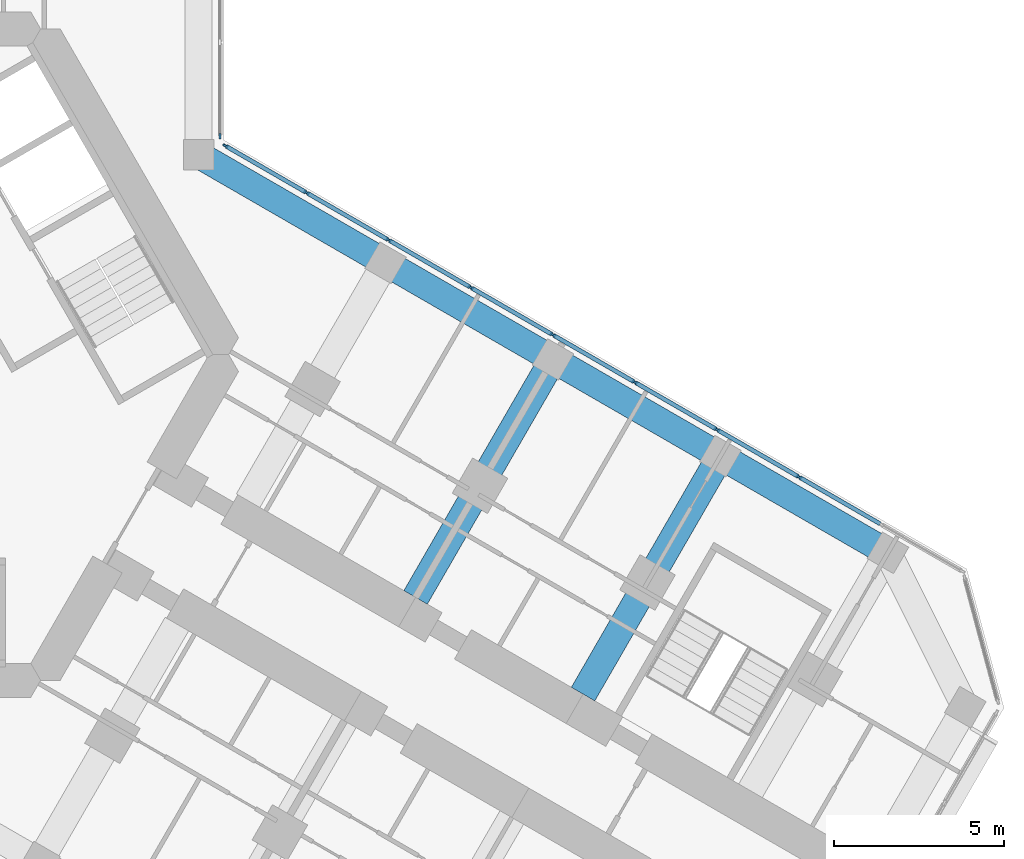
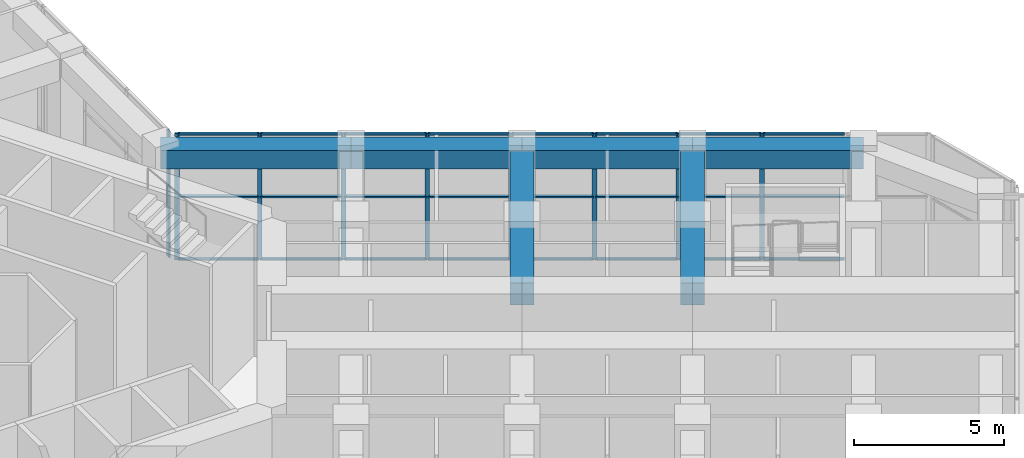
# One storey, part 7 of 23: 33 members, 6 beams, 2 elements without a shape of their own.
"""IFC4 building model written with IfcOpenShell, lengths in metres."""

from ifc_helpers import new_model, si_unit, direction, frame, origin, origin_2d, place, context, subcontext, project, spatial, rectangle, extrude, material, material_profile, profile_set, type_object, element, aggregate, save


model = new_model("IFC4")

# Units and contexts
model_context = context("Model", 3, precision=1e-05, world=origin(), true_north=direction((0.0, 1.0)))
body_context = subcontext(model_context, "Body", "Model", "MODEL_VIEW")
ifc_project = project(units=[si_unit("LENGTHUNIT", "METRE"), si_unit("AREAUNIT", "SQUARE_METRE"), si_unit("VOLUMEUNIT", "CUBIC_METRE"), si_unit("PLANEANGLEUNIT", "RADIAN"), si_unit("MASSUNIT", "GRAM", prefix="KILO")], contexts=[model_context])

# Site, building, storey
site_placement = place(None, origin())
site = spatial("IfcSite", under=ifc_project, at=site_placement, CompositionType="ELEMENT")
building_placement = place(site_placement, origin())
building = spatial("IfcBuilding", under=site, at=building_placement, Name="Kosmar Iwan School Tower", CompositionType="ELEMENT")
storey_placement = place(building_placement, frame((0.0, 0.0, 75.39990234375)))
storey = spatial("IfcBuildingStorey", under=building, at=storey_placement, Name="L18", CompositionType="ELEMENT", Elevation=75.39990234375)

# Curtain wall, members
ifc_material_1 = material(Name="Dark glass in black aluminium frame", Category="aluminium")
curtain_wall_type = type_object("IfcCurtainWallType", Name="Winter garden curtain wall", PredefinedType="USERDEFINED", material=ifc_material_1)
curtain_wall_1_placement = place(storey_placement, origin())
curtain_wall_1 = element("IfcCurtainWall", 1, at=curtain_wall_1_placement, inside=storey, type_object=curtain_wall_type, Name="Curtain wall L18-F05", ObjectType="WINTER GARDEN CURTAIN WALL", PredefinedType="USERDEFINED")
ifc_material_2 = material(Name="Black anodised aluminium", Category="aluminium")
ifc_material_profile_1 = material_profile(ifc_material_2, rectangle(XDim=0.06005859375, YDim=0.159912109375, at=origin_2d()), Name="MULLION 60x160")
ifc_profile_set_1 = profile_set([ifc_material_profile_1], Name="Black anodised aluminium")
member_type_1 = type_object("IfcMemberType", Name="Mullion 60x160", PredefinedType="MULLION", material=ifc_profile_set_1)
member_1_placement = place(storey_placement, frame((10.98876953125, 6.1552734375, 0.0), z_axis=(0.0, 0.0, 1.0), x_axis=(0.500000014888, 0.866025395189, 0.0)))
member_1 = element("IfcMember", 2, at=member_1_placement, type_object=member_type_1, Name="CW7 mullion 1", PredefinedType="MULLION", context=body_context, shape_type="SweptSolid", body=[
    extrude(rectangle(XDim=0.06005859375, YDim=0.159912109375, at=origin_2d()), origin(), (0.0, 0.0, 1.0), 5.150146484375),
])
member_2_placement = place(storey_placement, frame((13.3818359375, 4.773681640625, 0.0), z_axis=(0.0, 0.0, 1.0), x_axis=(0.500000014888, 0.866025395189, 0.0)))
member_2 = element("IfcMember", 3, at=member_2_placement, type_object=member_type_1, Name="CW7 mullion 2", PredefinedType="MULLION", context=body_context, shape_type="SweptSolid", body=[
    extrude(rectangle(XDim=0.06005859375, YDim=0.159912109375, at=origin_2d()), origin(), (0.0, 0.0, 1.0), 5.150146484375),
])
member_3_placement = place(storey_placement, frame((15.80078125, 3.376953125, 0.0), z_axis=(0.0, 0.0, 1.0), x_axis=(0.500000014888, 0.866025395189, 0.0)))
member_3 = element("IfcMember", 4, at=member_3_placement, type_object=member_type_1, Name="CW7 mullion 3", PredefinedType="MULLION", context=body_context, shape_type="SweptSolid", body=[
    extrude(rectangle(XDim=0.06005859375, YDim=0.159912109375, at=origin_2d()), origin(), (0.0, 0.0, 1.0), 5.150146484375),
])
member_4_placement = place(storey_placement, frame((18.219970703125, 1.98046875, 0.0), z_axis=(0.0, 0.0, 1.0), x_axis=(0.500000014888, 0.866025395189, 0.0)))
member_4 = element("IfcMember", 5, at=member_4_placement, type_object=member_type_1, Name="CW7 mullion 4", PredefinedType="MULLION", context=body_context, shape_type="SweptSolid", body=[
    extrude(rectangle(XDim=0.06005859375, YDim=0.159912109375, at=origin_2d()), origin(), (0.0, 0.0, 1.0), 5.150146484375),
])
member_5_placement = place(storey_placement, frame((20.638916015625, 0.583740234375, 0.0), z_axis=(0.0, 0.0, 1.0), x_axis=(0.500000014888, 0.866025395189, 0.0)))
member_5 = element("IfcMember", 6, at=member_5_placement, type_object=member_type_1, Name="CW7 mullion 5", PredefinedType="MULLION", context=body_context, shape_type="SweptSolid", body=[
    extrude(rectangle(XDim=0.06005859375, YDim=0.159912109375, at=origin_2d()), origin(), (0.0, 0.0, 1.0), 5.150146484375),
])
member_6_placement = place(storey_placement, frame((23.057861328125, -0.81298828125, 0.0), z_axis=(0.0, 0.0, 1.0), x_axis=(0.500000014888, 0.866025395189, 0.0)))
member_6 = element("IfcMember", 7, at=member_6_placement, type_object=member_type_1, Name="CW7 mullion 6", PredefinedType="MULLION", context=body_context, shape_type="SweptSolid", body=[
    extrude(rectangle(XDim=0.06005859375, YDim=0.159912109375, at=origin_2d()), origin(), (0.0, 0.0, 1.0), 5.150146484375),
])
member_7_placement = place(storey_placement, frame((25.47705078125, -2.20947265625, 0.0), z_axis=(0.0, 0.0, 1.0), x_axis=(0.500000014888, 0.866025395189, 0.0)))
member_7 = element("IfcMember", 8, at=member_7_placement, type_object=member_type_1, Name="CW7 mullion 7", PredefinedType="MULLION", context=body_context, shape_type="SweptSolid", body=[
    extrude(rectangle(XDim=0.06005859375, YDim=0.159912109375, at=origin_2d()), origin(), (0.0, 0.0, 1.0), 5.150146484375),
])
member_8_placement = place(storey_placement, frame((27.89599609375, -3.606201171875, 0.0), z_axis=(0.0, 0.0, 1.0), x_axis=(0.500000014888, 0.866025395189, 0.0)))
member_8 = element("IfcMember", 9, at=member_8_placement, type_object=member_type_1, Name="CW7 mullion 8", PredefinedType="MULLION", context=body_context, shape_type="SweptSolid", body=[
    extrude(rectangle(XDim=0.06005859375, YDim=0.159912109375, at=origin_2d()), origin(), (0.0, 0.0, 1.0), 5.150146484375),
])

# Curtain wall, member
curtain_wall_2_placement = place(storey_placement, origin())
curtain_wall_2 = element("IfcCurtainWall", 10, at=curtain_wall_2_placement, inside=storey, type_object=curtain_wall_type, Name="Curtain wall L18-F06", ObjectType="WINTER GARDEN CURTAIN WALL", PredefinedType="USERDEFINED")
member_9_placement = place(storey_placement, frame((10.824951171875, 6.43896484375, 0.0), z_axis=(0.0, 0.0, 1.0), x_axis=(-1.0, 0.0, 0.0)))
member_9 = element("IfcMember", 11, at=member_9_placement, type_object=member_type_1, Name="CW7 mullion 1", PredefinedType="MULLION", context=body_context, shape_type="SweptSolid", body=[
    extrude(rectangle(XDim=0.06005859375, YDim=0.159912109375, at=origin_2d()), origin(), (0.0, 0.0, 1.0), 5.150146484375),
])
aggregate(curtain_wall_2, [member_9])

# Beams
ifc_material_3 = material(Name="Concrete C50/60", Category="concrete")
ifc_material_profile_2 = material_profile(ifc_material_3, rectangle(XDim=0.800048828125, YDim=0.75, at=origin_2d()), Name="RC 800x750")
ifc_profile_set_2 = profile_set([ifc_material_profile_2], Name="Concrete C50/60")
beam_type_1 = type_object("IfcBeamType", Name="RC edge beam 800x750", PredefinedType="BEAM", material=ifc_profile_set_2)
beam_1_placement = place(storey_placement, frame((10.199951171875, 5.888916015625, 4.775146484375), z_axis=(0.866030912664, -0.49999045822, 0.0), x_axis=(0.49999045822, 0.866030912664, 0.0)))
element("IfcBeam", 12, at=beam_1_placement, inside=storey, type_object=beam_type_1, Name="Edge beam CL1", PredefinedType="BEAM", context=body_context, shape_type="SweptSolid", body=[
    extrude(rectangle(XDim=0.800048828125, YDim=0.75, at=origin_2d()), origin(), (0.0, 0.0, 1.0), 6.36083984375),
])
beam_2_placement = place(storey_placement, frame((15.708740234375, 2.70849609375, 4.775146484375), z_axis=(0.866025820012, -0.499999279071, 0.0), x_axis=(0.499999279071, 0.866025820012, 0.0)))
element("IfcBeam", 13, at=beam_2_placement, inside=storey, type_object=beam_type_1, Name="Edge beam CL2", PredefinedType="BEAM", context=body_context, shape_type="SweptSolid", body=[
    extrude(rectangle(XDim=0.800048828125, YDim=0.75, at=origin_2d()), origin(), (0.0, 0.0, 1.0), 5.7001953125),
])
for number, where, z_axis, x_axis, name in (
    (14, (20.645263671875, -0.1416015625, 4.775146484375), (0.866033658841, -0.49998570155, 0.0), (0.49998570155, 0.866033658841, 0.0), "Edge beam CL3"),
    (15, (25.58154296875, -2.991455078125, 4.775146484375), (0.866015111908, -0.50001782563, 0.0), (0.50001782563, 0.866015111908, 0.0), "Edge beam CL4"),
):
    element("IfcBeam", number, at=place(storey_placement, frame(where, z_axis=z_axis, x_axis=x_axis)), inside=storey, type_object=beam_type_1, Name=name, PredefinedType="BEAM", context=body_context, shape_type="SweptSolid", body=[
        extrude(rectangle(XDim=0.800048828125, YDim=0.75, at=origin_2d()), origin(), (0.0, 0.0, 1.0), 5.699951171875),
    ])
ifc_material_4 = material(Name="Concrete C50/60", Category="concrete")
ifc_material_profile_3 = material_profile(ifc_material_4, rectangle(XDim=0.800048828125, YDim=0.89990234375, at=origin_2d()), Name="RC 800x900")
ifc_profile_set_3 = profile_set([ifc_material_profile_3], Name="Concrete C50/60")
beam_type_2 = type_object("IfcBeamType", Name="RC transverse beam 800x900", PredefinedType="BEAM", material=ifc_profile_set_3)
beam_3_placement = place(storey_placement, frame((20.645263671875, -0.1416015625, 4.7001953125), z_axis=(-0.500012932018, -0.866017937352, 0.0), x_axis=(0.866017937352, -0.500012932018, 0.0)))
element("IfcBeam", 16, at=beam_3_placement, inside=storey, type_object=beam_type_2, Name="Transverse beam CL2", PredefinedType="BEAM", context=body_context, shape_type="SweptSolid", body=[
    extrude(rectangle(XDim=0.800048828125, YDim=0.89990234375, at=origin_2d()), origin(), (0.0, 0.0, 1.0), 8.099853515625),
])
beam_4_placement = place(storey_placement, frame((25.58154296875, -2.991455078125, 4.7001953125), z_axis=(-0.499999880539, -0.866025472755, 0.0), x_axis=(0.866025472755, -0.499999880539, 0.0)))
element("IfcBeam", 17, at=beam_4_placement, inside=storey, type_object=beam_type_2, Name="Transverse beam CL3", PredefinedType="BEAM", context=body_context, shape_type="SweptSolid", body=[
    extrude(rectangle(XDim=0.800048828125, YDim=0.89990234375, at=origin_2d()), origin(), (0.0, 0.0, 1.0), 8.10009765625),
])

# Member
ifc_material_5 = material(Name="Black anodised aluminium", Category="aluminium")
ifc_material_profile_4 = material_profile(ifc_material_5, rectangle(XDim=0.1201171875, YDim=0.06005859375, at=origin_2d()), Name="TRANSOM 60x120")
ifc_profile_set_4 = profile_set([ifc_material_profile_4], Name="Black anodised aluminium")
member_type_2 = type_object("IfcMemberType", Name="Transom 60x120", PredefinedType="USERDEFINED", material=ifc_profile_set_4)
member_10_placement = place(storey_placement, frame((11.014892578125, 6.14013671875, 0.030029296875), z_axis=(0.866033683985, -0.499985657998, 0.0), x_axis=(0.499985657998, 0.866033683985, 0.0)))
member_10 = element("IfcMember", 18, at=member_10_placement, type_object=member_type_2, Name="CW7 transom 1.1", ObjectType="TRANSOM", PredefinedType="USERDEFINED", context=body_context, shape_type="SweptSolid", body=[
    extrude(rectangle(XDim=0.1201171875, YDim=0.06005859375, at=origin_2d()), origin(), (0.0, 0.0, 1.0), 2.703125),
])

member_11_placement = place(storey_placement, frame((11.014892578125, 6.14013671875, 2.5751953125), z_axis=(0.866033683985, -0.499985657998, 0.0), x_axis=(0.499985657998, 0.866033683985, 0.0)))
member_11 = element("IfcMember", 19, at=member_11_placement, type_object=member_type_2, Name="CW7 transom 1.2", ObjectType="TRANSOM", PredefinedType="USERDEFINED", context=body_context, shape_type="SweptSolid", body=[
    extrude(rectangle(XDim=0.1201171875, YDim=0.06005859375, at=origin_2d()), origin(), (0.0, 0.0, 1.0), 2.703125),
])

member_12_placement = place(storey_placement, frame((11.014892578125, 6.14013671875, 5.1201171875), z_axis=(0.866033683985, -0.499985657998, 0.0), x_axis=(0.499985657998, 0.866033683985, 0.0)))
member_12 = element("IfcMember", 20, at=member_12_placement, type_object=member_type_2, Name="CW7 transom 1.3", ObjectType="TRANSOM", PredefinedType="USERDEFINED", context=body_context, shape_type="SweptSolid", body=[
    extrude(rectangle(XDim=0.1201171875, YDim=0.06005859375, at=origin_2d()), origin(), (0.0, 0.0, 1.0), 2.703125),
])

member_13_placement = place(storey_placement, frame((13.407958984375, 4.758544921875, 0.030029296875), z_axis=(0.866041295585, -0.499972473583, 0.0), x_axis=(0.499972473583, 0.866041295585, 0.0)))
member_13 = element("IfcMember", 21, at=member_13_placement, type_object=member_type_2, Name="CW7 transom 2.1", ObjectType="TRANSOM", PredefinedType="USERDEFINED", context=body_context, shape_type="SweptSolid", body=[
    extrude(rectangle(XDim=0.1201171875, YDim=0.06005859375, at=origin_2d()), origin(), (0.0, 0.0, 1.0), 2.733154296875),
])

member_14_placement = place(storey_placement, frame((13.407958984375, 4.758544921875, 2.5751953125), z_axis=(0.866041295585, -0.499972473583, 0.0), x_axis=(0.499972473583, 0.866041295585, 0.0)))
member_14 = element("IfcMember", 22, at=member_14_placement, type_object=member_type_2, Name="CW7 transom 2.2", ObjectType="TRANSOM", PredefinedType="USERDEFINED", context=body_context, shape_type="SweptSolid", body=[
    extrude(rectangle(XDim=0.1201171875, YDim=0.06005859375, at=origin_2d()), origin(), (0.0, 0.0, 1.0), 2.733154296875),
])

member_15_placement = place(storey_placement, frame((13.407958984375, 4.758544921875, 5.1201171875), z_axis=(0.866041295585, -0.499972473583, 0.0), x_axis=(0.499972473583, 0.866041295585, 0.0)))
member_15 = element("IfcMember", 23, at=member_15_placement, type_object=member_type_2, Name="CW7 transom 2.3", ObjectType="TRANSOM", PredefinedType="USERDEFINED", context=body_context, shape_type="SweptSolid", body=[
    extrude(rectangle(XDim=0.1201171875, YDim=0.06005859375, at=origin_2d()), origin(), (0.0, 0.0, 1.0), 2.733154296875),
])

member_16_placement = place(storey_placement, frame((15.826904296875, 3.362060546875, 0.030029296875), z_axis=(0.866002615699, -0.500039468044, 0.0), x_axis=(0.500039468044, 0.866002615699, 0.0)))
member_16 = element("IfcMember", 24, at=member_16_placement, type_object=member_type_2, Name="CW7 transom 3.1", ObjectType="TRANSOM", PredefinedType="USERDEFINED", context=body_context, shape_type="SweptSolid", body=[
    extrude(rectangle(XDim=0.1201171875, YDim=0.06005859375, at=origin_2d()), origin(), (0.0, 0.0, 1.0), 2.733154296875),
])

member_17_placement = place(storey_placement, frame((15.826904296875, 3.362060546875, 2.5751953125), z_axis=(0.866002615699, -0.500039468044, 0.0), x_axis=(0.500039468044, 0.866002615699, 0.0)))
member_17 = element("IfcMember", 25, at=member_17_placement, type_object=member_type_2, Name="CW7 transom 3.2", ObjectType="TRANSOM", PredefinedType="USERDEFINED", context=body_context, shape_type="SweptSolid", body=[
    extrude(rectangle(XDim=0.1201171875, YDim=0.06005859375, at=origin_2d()), origin(), (0.0, 0.0, 1.0), 2.733154296875),
])

member_18_placement = place(storey_placement, frame((15.826904296875, 3.362060546875, 5.1201171875), z_axis=(0.866002615699, -0.500039468044, 0.0), x_axis=(0.500039468044, 0.866002615699, 0.0)))
member_18 = element("IfcMember", 26, at=member_18_placement, type_object=member_type_2, Name="CW7 transom 3.3", ObjectType="TRANSOM", PredefinedType="USERDEFINED", context=body_context, shape_type="SweptSolid", body=[
    extrude(rectangle(XDim=0.1201171875, YDim=0.06005859375, at=origin_2d()), origin(), (0.0, 0.0, 1.0), 2.733154296875),
])

member_19_placement = place(storey_placement, frame((18.245849609375, 1.96533203125, 0.030029296875), z_axis=(0.8660249478, -0.500000789788, 0.0), x_axis=(0.500000789788, 0.8660249478, 0.0)))
member_19 = element("IfcMember", 27, at=member_19_placement, type_object=member_type_2, Name="CW7 transom 4.1", ObjectType="TRANSOM", PredefinedType="USERDEFINED", context=body_context, shape_type="SweptSolid", body=[
    extrude(rectangle(XDim=0.1201171875, YDim=0.06005859375, at=origin_2d()), origin(), (0.0, 0.0, 1.0), 2.7333984375),
])

member_20_placement = place(storey_placement, frame((18.245849609375, 1.96533203125, 2.5751953125), z_axis=(0.8660249478, -0.500000789788, 0.0), x_axis=(0.500000789788, 0.8660249478, 0.0)))
member_20 = element("IfcMember", 28, at=member_20_placement, type_object=member_type_2, Name="CW7 transom 4.2", ObjectType="TRANSOM", PredefinedType="USERDEFINED", context=body_context, shape_type="SweptSolid", body=[
    extrude(rectangle(XDim=0.1201171875, YDim=0.06005859375, at=origin_2d()), origin(), (0.0, 0.0, 1.0), 2.7333984375),
])

member_21_placement = place(storey_placement, frame((18.245849609375, 1.96533203125, 5.1201171875), z_axis=(0.8660249478, -0.500000789788, 0.0), x_axis=(0.500000789788, 0.8660249478, 0.0)))
member_21 = element("IfcMember", 29, at=member_21_placement, type_object=member_type_2, Name="CW7 transom 4.3", ObjectType="TRANSOM", PredefinedType="USERDEFINED", context=body_context, shape_type="SweptSolid", body=[
    extrude(rectangle(XDim=0.1201171875, YDim=0.06005859375, at=origin_2d()), origin(), (0.0, 0.0, 1.0), 2.7333984375),
])

member_22_placement = place(storey_placement, frame((20.664794921875, 0.56884765625, 0.030029296875), z_axis=(0.8660249478, -0.500000789788, 0.0), x_axis=(0.500000789788, 0.8660249478, 0.0)))
member_22 = element("IfcMember", 30, at=member_22_placement, type_object=member_type_2, Name="CW7 transom 5.1", ObjectType="TRANSOM", PredefinedType="USERDEFINED", context=body_context, shape_type="SweptSolid", body=[
    extrude(rectangle(XDim=0.1201171875, YDim=0.06005859375, at=origin_2d()), origin(), (0.0, 0.0, 1.0), 2.7333984375),
])

member_23_placement = place(storey_placement, frame((20.664794921875, 0.56884765625, 2.5751953125), z_axis=(0.8660249478, -0.500000789788, 0.0), x_axis=(0.500000789788, 0.8660249478, 0.0)))
member_23 = element("IfcMember", 31, at=member_23_placement, type_object=member_type_2, Name="CW7 transom 5.2", ObjectType="TRANSOM", PredefinedType="USERDEFINED", context=body_context, shape_type="SweptSolid", body=[
    extrude(rectangle(XDim=0.1201171875, YDim=0.06005859375, at=origin_2d()), origin(), (0.0, 0.0, 1.0), 2.7333984375),
])

member_24_placement = place(storey_placement, frame((20.664794921875, 0.56884765625, 5.1201171875), z_axis=(0.8660249478, -0.500000789788, 0.0), x_axis=(0.500000789788, 0.8660249478, 0.0)))
member_24 = element("IfcMember", 32, at=member_24_placement, type_object=member_type_2, Name="CW7 transom 5.3", ObjectType="TRANSOM", PredefinedType="USERDEFINED", context=body_context, shape_type="SweptSolid", body=[
    extrude(rectangle(XDim=0.1201171875, YDim=0.06005859375, at=origin_2d()), origin(), (0.0, 0.0, 1.0), 2.7333984375),
])

member_25_placement = place(storey_placement, frame((23.083984375, -0.827880859375, 0.030029296875), z_axis=(0.866002615699, -0.500039468044, 0.0), x_axis=(0.500039468044, 0.866002615699, 0.0)))
member_25 = element("IfcMember", 33, at=member_25_placement, type_object=member_type_2, Name="CW7 transom 6.1", ObjectType="TRANSOM", PredefinedType="USERDEFINED", context=body_context, shape_type="SweptSolid", body=[
    extrude(rectangle(XDim=0.1201171875, YDim=0.06005859375, at=origin_2d()), origin(), (0.0, 0.0, 1.0), 2.733154296875),
])

member_26_placement = place(storey_placement, frame((23.083984375, -0.827880859375, 2.5751953125), z_axis=(0.866002615699, -0.500039468044, 0.0), x_axis=(0.500039468044, 0.866002615699, 0.0)))
member_26 = element("IfcMember", 34, at=member_26_placement, type_object=member_type_2, Name="CW7 transom 6.2", ObjectType="TRANSOM", PredefinedType="USERDEFINED", context=body_context, shape_type="SweptSolid", body=[
    extrude(rectangle(XDim=0.1201171875, YDim=0.06005859375, at=origin_2d()), origin(), (0.0, 0.0, 1.0), 2.733154296875),
])

member_27_placement = place(storey_placement, frame((23.083984375, -0.827880859375, 5.1201171875), z_axis=(0.866002615699, -0.500039468044, 0.0), x_axis=(0.500039468044, 0.866002615699, 0.0)))
member_27 = element("IfcMember", 35, at=member_27_placement, type_object=member_type_2, Name="CW7 transom 6.3", ObjectType="TRANSOM", PredefinedType="USERDEFINED", context=body_context, shape_type="SweptSolid", body=[
    extrude(rectangle(XDim=0.1201171875, YDim=0.06005859375, at=origin_2d()), origin(), (0.0, 0.0, 1.0), 2.733154296875),
])

member_28_placement = place(storey_placement, frame((25.5029296875, -2.224609375, 0.030029296875), z_axis=(0.866063622699, -0.499933797055, 0.0), x_axis=(0.499933797055, 0.866063622699, 0.0)))
member_28 = element("IfcMember", 36, at=member_28_placement, type_object=member_type_2, Name="CW7 transom 7.1", ObjectType="TRANSOM", PredefinedType="USERDEFINED", context=body_context, shape_type="SweptSolid", body=[
    extrude(rectangle(XDim=0.1201171875, YDim=0.06005859375, at=origin_2d()), origin(), (0.0, 0.0, 1.0), 2.733154296875),
])

member_29_placement = place(storey_placement, frame((25.5029296875, -2.224609375, 2.5751953125), z_axis=(0.866063622699, -0.499933797055, 0.0), x_axis=(0.499933797055, 0.866063622699, 0.0)))
member_29 = element("IfcMember", 37, at=member_29_placement, type_object=member_type_2, Name="CW7 transom 7.2", ObjectType="TRANSOM", PredefinedType="USERDEFINED", context=body_context, shape_type="SweptSolid", body=[
    extrude(rectangle(XDim=0.1201171875, YDim=0.06005859375, at=origin_2d()), origin(), (0.0, 0.0, 1.0), 2.733154296875),
])

member_30_placement = place(storey_placement, frame((25.5029296875, -2.224609375, 5.1201171875), z_axis=(0.866063622699, -0.499933797055, 0.0), x_axis=(0.499933797055, 0.866063622699, 0.0)))
member_30 = element("IfcMember", 38, at=member_30_placement, type_object=member_type_2, Name="CW7 transom 7.3", ObjectType="TRANSOM", PredefinedType="USERDEFINED", context=body_context, shape_type="SweptSolid", body=[
    extrude(rectangle(XDim=0.1201171875, YDim=0.06005859375, at=origin_2d()), origin(), (0.0, 0.0, 1.0), 2.733154296875),
])

member_31_placement = place(storey_placement, frame((27.921875, -3.62109375, 0.030029296875), z_axis=(0.8660249478, -0.500000789788, 0.0), x_axis=(0.500000789788, 0.8660249478, 0.0)))
member_31 = element("IfcMember", 39, at=member_31_placement, type_object=member_type_2, Name="CW7 transom 8.1", ObjectType="TRANSOM", PredefinedType="USERDEFINED", context=body_context, shape_type="SweptSolid", body=[
    extrude(rectangle(XDim=0.1201171875, YDim=0.06005859375, at=origin_2d()), origin(), (0.0, 0.0, 1.0), 2.7333984375),
])

member_32_placement = place(storey_placement, frame((27.921875, -3.62109375, 2.5751953125), z_axis=(0.8660249478, -0.500000789788, 0.0), x_axis=(0.500000789788, 0.8660249478, 0.0)))
member_32 = element("IfcMember", 40, at=member_32_placement, type_object=member_type_2, Name="CW7 transom 8.2", ObjectType="TRANSOM", PredefinedType="USERDEFINED", context=body_context, shape_type="SweptSolid", body=[
    extrude(rectangle(XDim=0.1201171875, YDim=0.06005859375, at=origin_2d()), origin(), (0.0, 0.0, 1.0), 2.7333984375),
])

member_33_placement = place(storey_placement, frame((27.921875, -3.62109375, 5.1201171875), z_axis=(0.8660249478, -0.500000789788, 0.0), x_axis=(0.500000789788, 0.8660249478, 0.0)))
member_33 = element("IfcMember", 41, at=member_33_placement, type_object=member_type_2, Name="CW7 transom 8.3", ObjectType="TRANSOM", PredefinedType="USERDEFINED", context=body_context, shape_type="SweptSolid", body=[
    extrude(rectangle(XDim=0.1201171875, YDim=0.06005859375, at=origin_2d()), origin(), (0.0, 0.0, 1.0), 2.7333984375),
])

aggregate(curtain_wall_1, [member_1, member_2, member_3, member_4, member_5, member_6, member_7, member_8, member_10, member_11, member_12, member_13, member_14, member_15, member_16, member_17, member_18, member_19, member_20, member_21, member_22, member_23, member_24, member_25, member_26, member_27, member_28, member_29, member_30, member_31, member_32, member_33])

save(model, "model.ifc")
